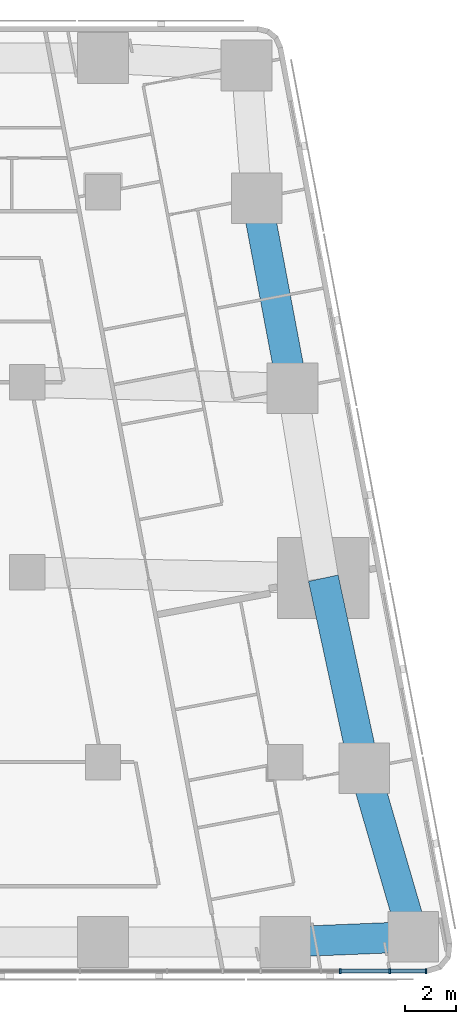
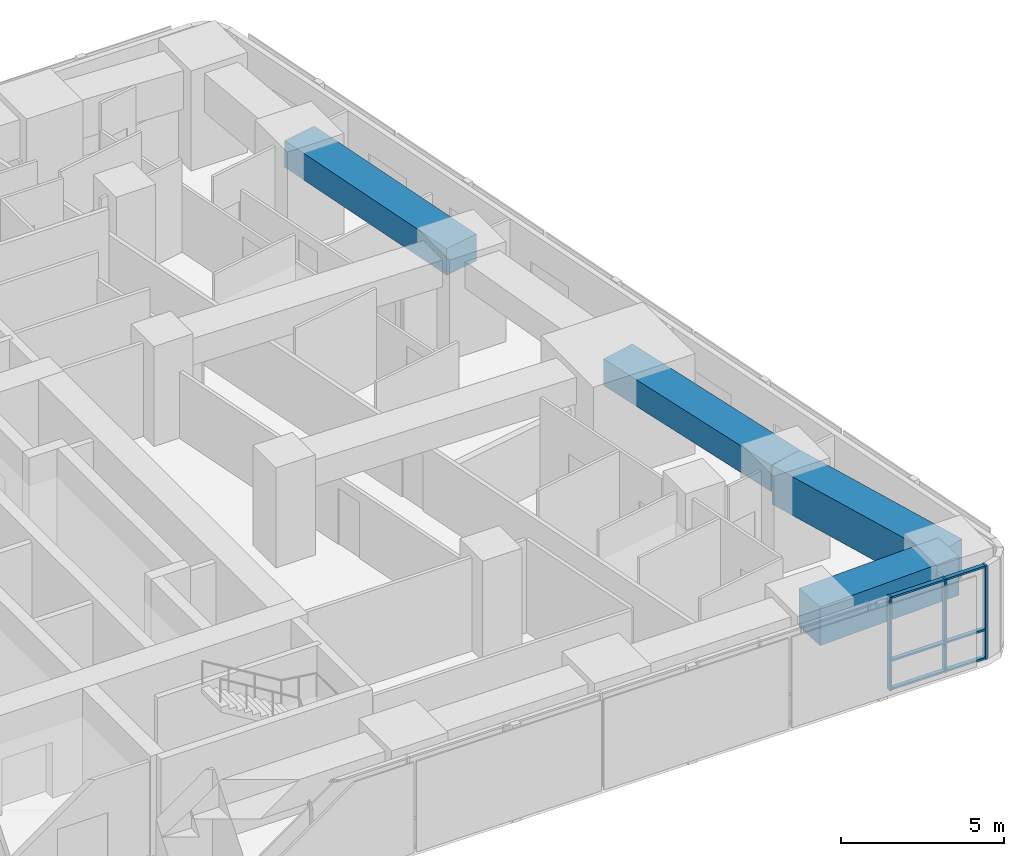
# One storey, part 3 of 10: 9 members, 4 beams, 1 element without a shape of its own.
"""IFC4 building model written with IfcOpenShell, lengths in metres."""

from ifc_helpers import new_model, si_unit, direction, frame, origin, origin_2d, place, context, subcontext, project, spatial, rectangle, extrude, material, material_profile, profile_set, type_object, element, aggregate, save


model = new_model("IFC4")

# Units and contexts
model_context = context("Model", 3, precision=1e-05, world=origin(), true_north=direction((0.0, 1.0)))
body_context = subcontext(model_context, "Body", "Model", "MODEL_VIEW")
ifc_project = project(units=[si_unit("LENGTHUNIT", "METRE"), si_unit("AREAUNIT", "SQUARE_METRE"), si_unit("VOLUMEUNIT", "CUBIC_METRE"), si_unit("PLANEANGLEUNIT", "RADIAN"), si_unit("MASSUNIT", "GRAM", prefix="KILO")], contexts=[model_context])

# Site, building, storey
site_placement = place(None, origin())
site = spatial("IfcSite", under=ifc_project, at=site_placement, CompositionType="ELEMENT")
building_placement = place(site_placement, origin())
building = spatial("IfcBuilding", under=site, at=building_placement, Name="Sheger Commons Tower", CompositionType="ELEMENT")
storey_placement = place(building_placement, frame((0.0, 0.0, 289.10009765625)))
storey = spatial("IfcBuildingStorey", under=building, at=storey_placement, Name="L74", CompositionType="ELEMENT", Elevation=289.10009765625)

# Curtain wall, members
ifc_material_1 = material(Name="Black aluminium curtain wall, dark tinted glazing", Category="aluminium")
curtain_wall_type = type_object("IfcCurtainWallType", Name="CURTAIN WALL CW5 SOUTH GALLERY", PredefinedType="USERDEFINED", material=ifc_material_1)
curtain_wall_placement = place(storey_placement, origin())
curtain_wall = element("IfcCurtainWall", 1, at=curtain_wall_placement, inside=storey, type_object=curtain_wall_type, Name="Curtain Wall Cw5 South Gallery S1 L74", ObjectType="UNITISED CURTAIN WALL", PredefinedType="USERDEFINED")
ifc_material_2 = material(Name="Black anodised aluminium", Category="aluminium")
ifc_material_profile_1 = material_profile(ifc_material_2, rectangle(XDim=0.199951171875, YDim=0.06494140625, at=origin_2d()), Name="AL 65x200")
ifc_profile_set_1 = profile_set([ifc_material_profile_1], Name="Black anodised aluminium")
member_type_1 = type_object("IfcMemberType", Name="MULLION AL 65x200", PredefinedType="MULLION", material=ifc_profile_set_1)
member_1_placement = place(storey_placement, frame((45.364990234375, 6.75, 0.0), z_axis=(0.0, 0.0, 1.0), x_axis=(0.0, 1.0, 0.0)))
member_1 = element("IfcMember", 2, at=member_1_placement, type_object=member_type_1, Name="CW5 mullion 12", PredefinedType="MULLION", context=body_context, shape_type="SweptSolid", body=[
    extrude(rectangle(XDim=0.199951171875, YDim=0.06494140625, at=origin_2d()), origin(), (0.0, 0.0, 1.0), 3.5),
])
member_2_placement = place(storey_placement, frame((47.319091796875, 6.75, 0.0), z_axis=(0.0, 0.0, 1.0), x_axis=(0.0, 1.0, 0.0)))
member_2 = element("IfcMember", 3, at=member_2_placement, type_object=member_type_1, Name="CW5 mullion 13", PredefinedType="MULLION", context=body_context, shape_type="SweptSolid", body=[
    extrude(rectangle(XDim=0.199951171875, YDim=0.06494140625, at=origin_2d()), origin(), (0.0, 0.0, 1.0), 3.5),
])
member_3_placement = place(storey_placement, frame((48.75439453125, 6.75, 0.0), z_axis=(0.0, 0.0, 1.0), x_axis=(0.0, 1.0, 0.0)))
member_3 = element("IfcMember", 4, at=member_3_placement, type_object=member_type_1, Name="CW5 mullion 14", PredefinedType="MULLION", context=body_context, shape_type="SweptSolid", body=[
    extrude(rectangle(XDim=0.199951171875, YDim=0.06494140625, at=origin_2d()), origin(), (0.0, 0.0, 1.0), 3.5),
])

# Beams
ifc_material_3 = material(Name="Concrete C50/60", Category="concrete")
ifc_material_profile_2 = material_profile(ifc_material_3, rectangle(XDim=1.199951171875, YDim=1.0, at=origin_2d()), Name="RC 1200x1000")
ifc_profile_set_2 = profile_set([ifc_material_profile_2], Name="Concrete C50/60")
beam_type_1 = type_object("IfcBeamType", Name="SPANDREL RC 1200x1000", PredefinedType="SPANDREL", material=ifc_profile_set_2)
beam_1_placement = place(storey_placement, frame((46.31396484375, 14.762939453125, 3.0), z_axis=(-0.210750229323, 0.977539943348, 0.0), x_axis=(-0.977539943348, -0.210750229323, 0.0)))
element("IfcBeam", 5, at=beam_1_placement, inside=storey, type_object=beam_type_1, Name="Beam E/C-E/D under L75", PredefinedType="SPANDREL", context=body_context, shape_type="SweptSolid", body=[
    extrude(rectangle(XDim=1.199951171875, YDim=1.0, at=origin_2d()), origin(), (0.0, 0.0, 1.0), 7.67236328125),
])
beam_2_placement = place(storey_placement, frame((43.47998046875, 29.762939453125, 3.0), z_axis=(-0.18552441405, 0.982639655108, 0.0), x_axis=(-0.982639655108, -0.18552441405, 0.0)))
element("IfcBeam", 6, at=beam_2_placement, inside=storey, type_object=beam_type_1, Name="Beam E/E-E/F under L75", PredefinedType="SPANDREL", context=body_context, shape_type="SweptSolid", body=[
    extrude(rectangle(XDim=1.199951171875, YDim=1.0, at=origin_2d()), origin(), (0.0, 0.0, 1.0), 7.632568359375),
])
ifc_material_4 = material(Name="Concrete C50/60", Category="concrete")
ifc_material_profile_3 = material_profile(ifc_material_4, rectangle(XDim=1.199951171875, YDim=1.449951171875, at=origin_2d()), Name="RC 1200x1450")
ifc_profile_set_3 = profile_set([ifc_material_profile_3], Name="Concrete C50/60")
beam_type_2 = type_object("IfcBeamType", Name="SPANDREL RC 1200x1450", PredefinedType="SPANDREL", material=ifc_profile_set_3)
beam_3_placement = place(storey_placement, frame((43.199951171875, 7.89990234375, 2.77490234375), z_axis=(0.999161374218, 0.040945674641, 0.0), x_axis=(-0.040945674641, 0.999161374218, 0.0)))
element("IfcBeam", 7, at=beam_3_placement, inside=storey, type_object=beam_type_2, Name="Beam 7/B-E/B under L75", PredefinedType="SPANDREL", context=body_context, shape_type="SweptSolid", body=[
    extrude(rectangle(XDim=1.199951171875, YDim=1.449951171875, at=origin_2d()), origin(), (0.0, 0.0, 1.0), 5.05615234375),
])
beam_4_placement = place(storey_placement, frame((48.251953125, 8.10693359375, 2.77490234375), z_axis=(-0.279555048455, 0.960129665662, 0.0), x_axis=(-0.960129665662, -0.279555048455, 0.0)))
element("IfcBeam", 8, at=beam_4_placement, inside=storey, type_object=beam_type_2, Name="Beam E/B-E/C under L75", PredefinedType="SPANDREL", context=body_context, shape_type="SweptSolid", body=[
    extrude(rectangle(XDim=1.199951171875, YDim=1.449951171875, at=origin_2d()), origin(), (0.0, 0.0, 1.0), 6.932373046875),
])

# Member
ifc_material_5 = material(Name="Black anodised aluminium", Category="aluminium")
ifc_material_profile_4 = material_profile(ifc_material_5, rectangle(XDim=0.14990234375, YDim=0.06494140625, at=origin_2d()), Name="AL 65x150")
ifc_profile_set_4 = profile_set([ifc_material_profile_4], Name="Black anodised aluminium")
member_type_2 = type_object("IfcMemberType", Name="TRANSOM AL 65x150", PredefinedType="USERDEFINED", material=ifc_profile_set_4)
member_4_placement = place(storey_placement, frame((45.3974609375, 6.75, 0.032470703125), z_axis=(1.0, 0.0, 0.0), x_axis=(0.0, 1.0, 0.0)))
member_4 = element("IfcMember", 9, at=member_4_placement, type_object=member_type_2, Name="CW5 transom 12.1", ObjectType="TRANSOM", PredefinedType="USERDEFINED", context=body_context, shape_type="SweptSolid", body=[
    extrude(rectangle(XDim=0.14990234375, YDim=0.06494140625, at=origin_2d()), origin(), (0.0, 0.0, 1.0), 1.88916015625),
])

member_5_placement = place(storey_placement, frame((45.3974609375, 6.75, 1.099853515625), z_axis=(1.0, 0.0, 0.0), x_axis=(0.0, 1.0, 0.0)))
member_5 = element("IfcMember", 10, at=member_5_placement, type_object=member_type_2, Name="CW5 transom 12.2", ObjectType="TRANSOM", PredefinedType="USERDEFINED", context=body_context, shape_type="SweptSolid", body=[
    extrude(rectangle(XDim=0.14990234375, YDim=0.06494140625, at=origin_2d()), origin(), (0.0, 0.0, 1.0), 1.88916015625),
])

member_6_placement = place(storey_placement, frame((45.3974609375, 6.75, 3.46728515625), z_axis=(1.0, 0.0, 0.0), x_axis=(0.0, 1.0, 0.0)))
member_6 = element("IfcMember", 11, at=member_6_placement, type_object=member_type_2, Name="CW5 transom 12.3", ObjectType="TRANSOM", PredefinedType="USERDEFINED", context=body_context, shape_type="SweptSolid", body=[
    extrude(rectangle(XDim=0.14990234375, YDim=0.06494140625, at=origin_2d()), origin(), (0.0, 0.0, 1.0), 1.88916015625),
])

member_7_placement = place(storey_placement, frame((47.3515625, 6.75, 0.032470703125), z_axis=(1.0, 0.0, 0.0), x_axis=(0.0, 1.0, 0.0)))
member_7 = element("IfcMember", 12, at=member_7_placement, type_object=member_type_2, Name="CW5 transom 13.1", ObjectType="TRANSOM", PredefinedType="USERDEFINED", context=body_context, shape_type="SweptSolid", body=[
    extrude(rectangle(XDim=0.14990234375, YDim=0.06494140625, at=origin_2d()), origin(), (0.0, 0.0, 1.0), 1.370361328125),
])

member_8_placement = place(storey_placement, frame((47.3515625, 6.75, 1.099853515625), z_axis=(1.0, 0.0, 0.0), x_axis=(0.0, 1.0, 0.0)))
member_8 = element("IfcMember", 13, at=member_8_placement, type_object=member_type_2, Name="CW5 transom 13.2", ObjectType="TRANSOM", PredefinedType="USERDEFINED", context=body_context, shape_type="SweptSolid", body=[
    extrude(rectangle(XDim=0.14990234375, YDim=0.06494140625, at=origin_2d()), origin(), (0.0, 0.0, 1.0), 1.370361328125),
])

member_9_placement = place(storey_placement, frame((47.3515625, 6.75, 3.46728515625), z_axis=(1.0, 0.0, 0.0), x_axis=(0.0, 1.0, 0.0)))
member_9 = element("IfcMember", 14, at=member_9_placement, type_object=member_type_2, Name="CW5 transom 13.3", ObjectType="TRANSOM", PredefinedType="USERDEFINED", context=body_context, shape_type="SweptSolid", body=[
    extrude(rectangle(XDim=0.14990234375, YDim=0.06494140625, at=origin_2d()), origin(), (0.0, 0.0, 1.0), 1.370361328125),
])

aggregate(curtain_wall, [member_1, member_2, member_3, member_4, member_5, member_6, member_7, member_8, member_9])

save(model, "model.ifc")
